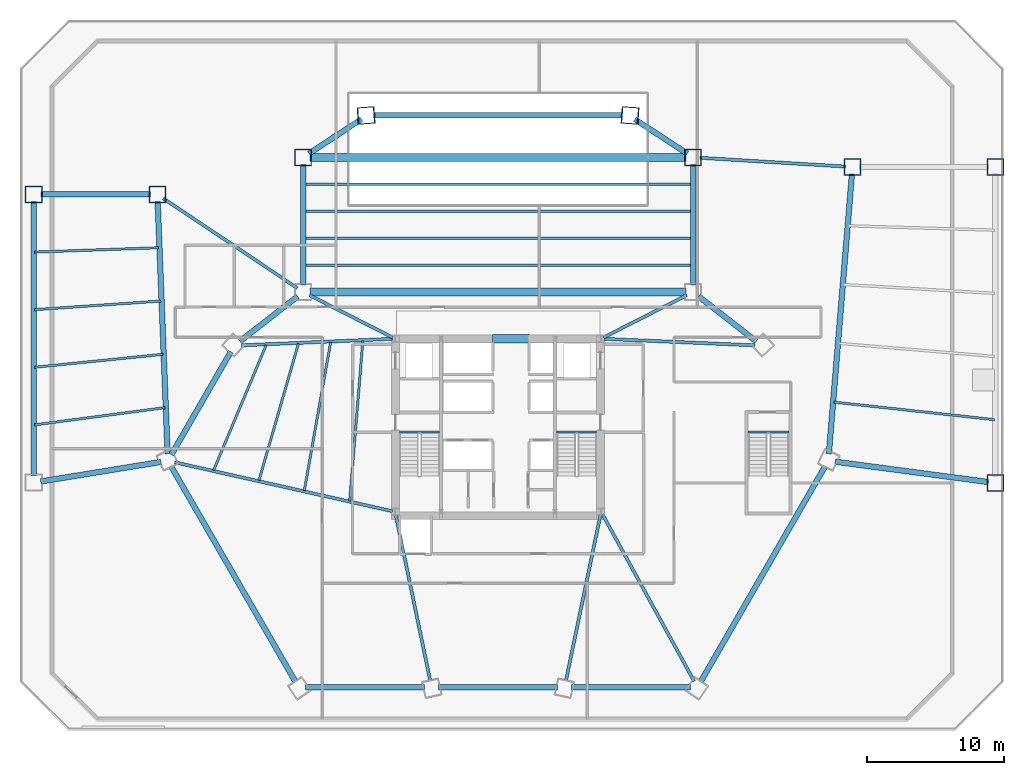
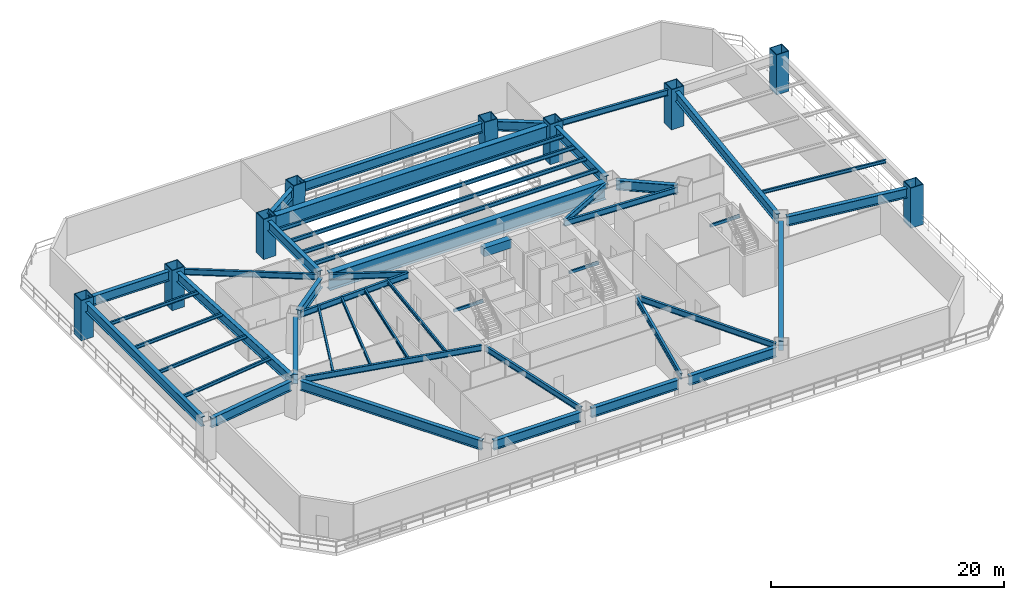
# One storey, part 3 of 12: 48 beams, 9 columns.
"""IFC4 building model written with IfcOpenShell, lengths in metres."""

from ifc_helpers import new_model, si_unit, direction, frame, origin, origin_2d, place, context, subcontext, project, spatial, rectangle, hollow_rectangle, i_section, extrude, source, transform, mapped, material, material_profile, profile_set, type_object, type_shapes, element, save


model = new_model("IFC4")

# Units and contexts
model_context = context("Model", 3, precision=1e-05, world=origin(), true_north=direction((0.0, 1.0)))
body_context = subcontext(model_context, "Body", "Model", "MODEL_VIEW")
ifc_project = project(units=[si_unit("LENGTHUNIT", "METRE"), si_unit("AREAUNIT", "SQUARE_METRE"), si_unit("VOLUMEUNIT", "CUBIC_METRE"), si_unit("PLANEANGLEUNIT", "RADIAN"), si_unit("MASSUNIT", "GRAM", prefix="KILO")], contexts=[model_context])

# Site, building, storey
site_placement = place(None, origin())
site = spatial("IfcSite", under=ifc_project, at=site_placement, CompositionType="ELEMENT")
building_placement = place(site_placement, origin())
building = spatial("IfcBuilding", under=site, at=building_placement, Name="Caelisora Broadcast Tower", CompositionType="ELEMENT")
storey_placement = place(building_placement, frame((0.0, 0.0, 14.699951171875)))
storey = spatial("IfcBuildingStorey", under=building, at=storey_placement, Name="L03", CompositionType="ELEMENT", Elevation=14.699951171875)

# Columns
ifc_material_1 = material(Name="Steel Grade 350 L15 (AS/NZS 3678)", Category="steel")
ifc_material_profile_1 = material_profile(ifc_material_1, hollow_rectangle(XDim=1.25, YDim=1.25, WallThickness=0.070068359375, at=origin_2d()), Name="Steel Grade 350 L15 (AS/NZS 3678)")
ifc_profile_set_1 = profile_set([ifc_material_profile_1], Name="Steel Grade 350 L15 (AS/NZS 3678)")
column_type = type_object("IfcColumnType", Name="MC02", PredefinedType="COLUMN", material=ifc_profile_set_1)
shared_shape_1 = source(origin(), body_context, "Body", "SweptSolid", [
    extrude(hollow_rectangle(XDim=1.25, YDim=1.25, WallThickness=0.070068359375, at=origin_2d()), origin(), (0.0, 0.0, 1.0), 4.201171875),
])
for number, where, z_axis, x_axis, name in (
    (1, (47.61962890625, 46.249267578125, 0.0), (-0.023884329985, 0.001743381751, 0.999713208576), (-0.07279902415, -0.997346630857, 0.0), "L03 column MC02"),
    (2, (28.38037109375, 46.249267578125, 0.0), (0.023884329985, 0.001743381751, 0.999713208576), (-0.07279902415, 0.997346630857, 0.0), "L03 column MC02"),
):
    element("IfcColumn", number, at=place(storey_placement, frame(where, z_axis=z_axis, x_axis=x_axis)), inside=storey, type_object=column_type, Name=name, PredefinedType="COLUMN", context=body_context, shape_type="MappedRepresentation", body=[
        mapped(shared_shape_1, transform((0.0, 0.0, 0.0), scale=1.0)),
    ])
shared_shape_2 = source(origin(), body_context, "Body", "SweptSolid", [
    extrude(hollow_rectangle(XDim=1.25, YDim=1.25, WallThickness=0.070068359375, at=origin_2d()), origin(), (0.0, 0.0, 1.0), 4.199951171875),
])
type_shapes(column_type, [shared_shape_1, shared_shape_2])
for number, where, z_axis, x_axis, name in (
    (3, (23.81103515625, 43.199951171875, 0.0), (0.0, 0.0, 1.0), (1.0, 0.0, 0.0), "L03 column MC02"),
    (4, (52.18896484375, 43.199951171875, 0.0), (0.0, 0.0, 1.0), (1.0, 0.0, 0.0), "L03 column MC02"),
    (5, (4.199951171875, 40.5, 0.0), (0.0, 0.0, 1.0), (1.0, 0.0, 0.0), "L03 column MC02"),
    (6, (74.199951171875, 19.5, 0.0), (0.0, 0.0, 1.0), (1.0, 0.0, 0.0), "L03 column MC02"),
    (7, (74.199951171875, 42.5, 0.0), (0.0, 0.0, 1.0), (1.0, 0.0, 0.0), "L03 column MC02"),
    (8, (13.199951171875, 40.5, 0.0), (0.0, 0.0, 1.0), (1.0, 0.0, 0.0), "L03 column MC02"),
    (9, (63.800048828125, 42.5, 0.0), (0.0, 0.0, 1.0), (1.0, 0.0, 0.0), "L03 column MC02"),
):
    element("IfcColumn", number, at=place(storey_placement, frame(where, z_axis=z_axis, x_axis=x_axis)), inside=storey, type_object=column_type, Name=name, PredefinedType="COLUMN", context=body_context, shape_type="MappedRepresentation", body=[
        mapped(shared_shape_2, transform((0.0, 0.0, 0.0), scale=1.0)),
    ])

# Beams
ifc_material_2 = material(Name="Steel Grade 350 (AS/NZS 1163 C350L0)", Category="steel")
ifc_material_profile_2 = material_profile(ifc_material_2, hollow_rectangle(XDim=0.14990234375, YDim=0.300048828125, WallThickness=0.010009765625, at=origin_2d()), Name="Steel Grade 350 (AS/NZS 1163 C350L0)")
ifc_profile_set_2 = profile_set([ifc_material_profile_2], Name="Steel Grade 350 (AS/NZS 1163 C350L0)")
beam_type_1 = type_object("IfcBeamType", Name="SB05", PredefinedType="JOIST", material=ifc_profile_set_2)
shared_shape_3 = source(origin(), body_context, "Body", "SweptSolid", [
    extrude(hollow_rectangle(XDim=0.14990234375, YDim=0.300048828125, WallThickness=0.010009765625, at=origin_2d()), origin(), (0.0, 0.0, 1.0), 2.89990234375),
])
for number, where, z_axis, x_axis, name in (
    (10, (30.840087890625, 23.219970703125, 3.72998046875), (1.0, 0.0, 0.0), (0.0, 1.0, 0.0), "L03 beam SB05"),
    (11, (42.260009765625, 23.219970703125, 3.72998046875), (1.0, 0.0, 0.0), (0.0, 1.0, 0.0), "L03 beam SB05"),
):
    element("IfcBeam", number, at=place(storey_placement, frame(where, z_axis=z_axis, x_axis=x_axis)), inside=storey, type_object=beam_type_1, Name=name, PredefinedType="JOIST", context=body_context, shape_type="MappedRepresentation", body=[
        mapped(shared_shape_3, transform((0.0, 0.0, 0.0), scale=1.0)),
    ])
shared_shape_4 = source(origin(), body_context, "Body", "SweptSolid", [
    extrude(hollow_rectangle(XDim=0.14990234375, YDim=0.300048828125, WallThickness=0.010009765625, at=origin_2d()), origin(), (0.0, 0.0, 1.0), 2.9599609375),
])
type_shapes(beam_type_1, [shared_shape_3, shared_shape_4])
beam_1_placement = place(storey_placement, frame((56.199951171875, 23.219970703125, 3.72998046875), z_axis=(1.0, 0.0, 0.0), x_axis=(0.0, 1.0, 0.0)))
element("IfcBeam", 12, at=beam_1_placement, inside=storey, type_object=beam_type_1, Name="L03 beam SB05", PredefinedType="JOIST", context=body_context, shape_type="MappedRepresentation", body=[
    mapped(shared_shape_4, transform((0.0, 0.0, 0.0), scale=1.0)),
])
ifc_material_3 = material(Name="Steel Grade 350 (AS/NZS 3679.1)", Category="steel")
ifc_material_profile_3 = material_profile(ifc_material_3, i_section(OverallWidth=0.177978515625, OverallDepth=0.406494140625, WebThickness=0.0078125, FlangeThickness=0.0126953125, at=origin_2d()), Name="Steel Grade 350 (AS/NZS 3679.1)")
ifc_profile_set_3 = profile_set([ifc_material_profile_3], Name="Steel Grade 350 (AS/NZS 3679.1)")
beam_type_2 = type_object("IfcBeamType", Name="SB01", PredefinedType="JOIST", material=ifc_profile_set_3)
shared_shape_5 = source(origin(), body_context, "Body", "SweptSolid", [
    extrude(i_section(OverallWidth=0.177978515625, OverallDepth=0.406494140625, WebThickness=0.0078125, FlangeThickness=0.0126953125, at=origin_2d()), origin(), (0.0, 0.0, 1.0), 28.2578125),
])
type_shapes(beam_type_2, [shared_shape_5])
for number, where, z_axis, x_axis, name in (
    (13, (23.87109375, 35.360107421875, 3.6767578125), (1.0, 0.0, 0.0), (0.0, 1.0, 0.0), "L03 beam SB01"),
    (14, (23.87109375, 37.320068359375, 3.6767578125), (1.0, 0.0, 0.0), (0.0, 1.0, 0.0), "L03 beam SB01"),
    (15, (23.87109375, 39.280029296875, 3.6767578125), (1.0, 0.0, 0.0), (0.0, 1.0, 0.0), "L03 beam SB01"),
    (16, (23.87109375, 41.239990234375, 3.6767578125), (1.0, 0.0, 0.0), (0.0, 1.0, 0.0), "L03 beam SB01"),
):
    element("IfcBeam", number, at=place(storey_placement, frame(where, z_axis=z_axis, x_axis=x_axis)), inside=storey, type_object=beam_type_2, Name=name, PredefinedType="JOIST", context=body_context, shape_type="MappedRepresentation", body=[
        mapped(shared_shape_5, transform((0.0, 0.0, 0.0), scale=1.0)),
    ])
ifc_material_profile_4 = material_profile(ifc_material_3, i_section(OverallWidth=0.22900390625, OverallDepth=0.611572265625, WebThickness=0.011962890625, FlangeThickness=0.01953125, at=origin_2d()), Name="Steel Grade 350 (AS/NZS 3679.1)")
ifc_profile_set_4 = profile_set([ifc_material_profile_4], Name="Steel Grade 350 (AS/NZS 3679.1)")
beam_type_3 = type_object("IfcBeamType", Name="PG03", PredefinedType="BEAM", material=ifc_profile_set_4)
shared_shape_6 = source(origin(), body_context, "Body", "SweptSolid", [
    extrude(i_section(OverallWidth=0.22900390625, OverallDepth=0.611572265625, WebThickness=0.011962890625, FlangeThickness=0.01953125, at=origin_2d()), origin(), (0.0, 0.0, 1.0), 6.791015625),
])
for number, where, z_axis, x_axis, name in (
    (17, (45.67822265625, 30.090576171875, 3.57421875), (0.891452572776, 0.453114014892, 0.0), (-0.453114014892, 0.891452572776, 0.0), "L03 beam PG03"),
    (18, (30.32177734375, 30.090576171875, 3.57421875), (-0.891452572776, 0.453114014892, 0.0), (-0.453114014892, -0.891452572776, 0.0), "L03 beam PG03"),
):
    element("IfcBeam", number, at=place(storey_placement, frame(where, z_axis=z_axis, x_axis=x_axis)), inside=storey, type_object=beam_type_3, Name=name, PredefinedType="BEAM", context=body_context, shape_type="MappedRepresentation", body=[
        mapped(shared_shape_6, transform((0.0, 0.0, 0.0), scale=1.0)),
    ])
ifc_material_4 = material(Name="Steel Grade 350 (AS/NZS 3679.2)", Category="steel")
ifc_material_profile_5 = material_profile(ifc_material_4, i_section(OverallWidth=0.39990234375, OverallDepth=1.0, WebThickness=0.01611328125, FlangeThickness=0.028076171875, at=origin_2d()), Name="Steel Grade 350 (AS/NZS 3679.2)")
ifc_profile_set_5 = profile_set([ifc_material_profile_5], Name="Steel Grade 350 (AS/NZS 3679.2)")
beam_type_4 = type_object("IfcBeamType", Name="PG01", PredefinedType="BEAM", material=ifc_profile_set_5)
shared_shape_7 = source(origin(), body_context, "Body", "SweptSolid", [
    extrude(i_section(OverallWidth=0.39990234375, OverallDepth=1.0, WebThickness=0.01611328125, FlangeThickness=0.028076171875, at=origin_2d()), origin(), (0.0, 0.0, 1.0), 7.97509765625),
])
beam_2_placement = place(storey_placement, frame((4.71240234375, 40.5, 3.380126953125), z_axis=(1.0, 0.0, 0.0), x_axis=(0.0, 1.0, 0.0)))
element("IfcBeam", 19, at=beam_2_placement, inside=storey, type_object=beam_type_4, Name="L03 beam PG01", PredefinedType="BEAM", context=body_context, shape_type="MappedRepresentation", body=[
    mapped(shared_shape_7, transform((0.0, 0.0, 0.0), scale=1.0)),
])
shared_shape_8 = source(origin(), body_context, "Body", "SweptSolid", [
    extrude(i_section(OverallWidth=0.39990234375, OverallDepth=1.0, WebThickness=0.01611328125, FlangeThickness=0.028076171875, at=origin_2d()), origin(), (0.0, 0.0, 1.0), 19.948974609375),
])
beam_3_placement = place(storey_placement, frame((4.199951171875, 20.03857421875, 3.380126953125), z_axis=(0.0, 1.0, 0.0), x_axis=(-1.0, 0.0, 0.0)))
element("IfcBeam", 20, at=beam_3_placement, inside=storey, type_object=beam_type_4, Name="L03 beam PG01", PredefinedType="BEAM", context=body_context, shape_type="MappedRepresentation", body=[
    mapped(shared_shape_8, transform((0.0, 0.0, 0.0), scale=1.0)),
])
shared_shape_9 = source(origin(), body_context, "Body", "SweptSolid", [
    extrude(i_section(OverallWidth=0.22900390625, OverallDepth=0.611572265625, WebThickness=0.011962890625, FlangeThickness=0.01953125, at=origin_2d()), origin(), (0.0, 0.0, 1.0), 11.7421875),
])
beam_4_placement = place(storey_placement, frame((13.6259765625, 40.215087890625, 3.57421875), z_axis=(0.831105468417, -0.556114826602, 0.0), x_axis=(0.556114826602, 0.831105468417, 0.0)))
element("IfcBeam", 21, at=beam_4_placement, inside=storey, type_object=beam_type_3, Name="L03 beam PG03", PredefinedType="BEAM", context=body_context, shape_type="MappedRepresentation", body=[
    mapped(shared_shape_9, transform((0.0, 0.0, 0.0), scale=1.0)),
])
shared_shape_10 = source(origin(), body_context, "Body", "SweptSolid", [
    extrude(i_section(OverallWidth=0.22900390625, OverallDepth=0.611572265625, WebThickness=0.011962890625, FlangeThickness=0.01953125, at=origin_2d()), origin(), (0.0, 0.0, 1.0), 10.60693359375),
])
beam_5_placement = place(storey_placement, frame((52.70068359375, 43.169189453125, 3.57421875), z_axis=(0.998186939581, -0.060189979639, 0.0), x_axis=(0.060189979639, 0.998186939581, 0.0)))
element("IfcBeam", 22, at=beam_5_placement, inside=storey, type_object=beam_type_3, Name="L03 beam PG03", PredefinedType="BEAM", context=body_context, shape_type="MappedRepresentation", body=[
    mapped(shared_shape_10, transform((0.0, 0.0, 0.0), scale=1.0)),
])
shared_shape_11 = source(origin(), body_context, "Body", "SweptSolid", [
    extrude(i_section(OverallWidth=0.39990234375, OverallDepth=1.0, WebThickness=0.01611328125, FlangeThickness=0.028076171875, at=origin_2d()), origin(), (0.0, 0.0, 1.0), 8.77490234375),
])
for number, where, z_axis, x_axis, name in (
    (23, (23.81103515625, 33.91259765625, 3.380126953125), (0.0, 1.0, 0.0), (-1.0, 0.0, 0.0), "L03 beam PG01"),
    (24, (52.18896484375, 33.91259765625, 3.380126953125), (0.0, 1.0, 0.0), (-1.0, 0.0, 0.0), "L03 beam PG01"),
):
    element("IfcBeam", number, at=place(storey_placement, frame(where, z_axis=z_axis, x_axis=x_axis)), inside=storey, type_object=beam_type_4, Name=name, PredefinedType="BEAM", context=body_context, shape_type="MappedRepresentation", body=[
        mapped(shared_shape_11, transform((0.0, 0.0, 0.0), scale=1.0)),
    ])
ifc_material_5 = material(Name="Concrete 50 MPa (AS 3600 S50)", Category="concrete")
ifc_material_profile_6 = material_profile(ifc_material_5, rectangle(XDim=0.60009765625, YDim=0.89990234375, at=origin_2d()), Name="Concrete 50 MPa (AS 3600 S50)")
ifc_profile_set_6 = profile_set([ifc_material_profile_6], Name="Concrete 50 MPa (AS 3600 S50)")
beam_type_5 = type_object("IfcBeamType", Name="CB02", PredefinedType="LINTEL", material=ifc_profile_set_6)
shared_shape_12 = source(origin(), body_context, "Body", "SweptSolid", [
    extrude(rectangle(XDim=0.60009765625, YDim=0.89990234375, at=origin_2d()), origin(), (0.0, 0.0, 1.0), 2.699951171875),
])
type_shapes(beam_type_5, [shared_shape_12])
beam_6_placement = place(storey_placement, frame((37.60009765625, 30.0, 3.5), z_axis=(1.0, 0.0, 0.0), x_axis=(0.0, 1.0, 0.0)))
element("IfcBeam", 25, at=beam_6_placement, inside=storey, type_object=beam_type_5, Name="L03 beam CB02", PredefinedType="LINTEL", context=body_context, shape_type="MappedRepresentation", body=[
    mapped(shared_shape_12, transform((0.0, 0.0, 0.0), scale=1.0)),
])
shared_shape_13 = source(origin(), body_context, "Body", "SweptSolid", [
    extrude(i_section(OverallWidth=0.39990234375, OverallDepth=1.0, WebThickness=0.01611328125, FlangeThickness=0.028076171875, at=origin_2d()), origin(), (0.0, 0.0, 1.0), 18.013671875),
])
for number, where, z_axis, x_axis, name in (
    (26, (47.0068359375, 46.256591796875, 3.380126953125), (-1.0, 0.0, 0.0), (0.0, -1.0, 0.0), "L03 beam PG01"),
    (27, (14.2216796875, 20.671875, 3.380126953125), (0.499998934212, -0.866026019116, 0.0), (0.866026019116, 0.499998934212, 0.0), "L03 beam PG01"),
    (28, (52.771484375, 5.071533203125, 3.380126953125), (0.499998934212, 0.866026019116, 0.0), (-0.866026019116, 0.499998934212, 0.0), "L03 beam PG01"),
):
    element("IfcBeam", number, at=place(storey_placement, frame(where, z_axis=z_axis, x_axis=x_axis)), inside=storey, type_object=beam_type_4, Name=name, PredefinedType="BEAM", context=body_context, shape_type="MappedRepresentation", body=[
        mapped(shared_shape_13, transform((0.0, 0.0, 0.0), scale=1.0)),
    ])
shared_shape_14 = source(origin(), body_context, "Body", "SweptSolid", [
    extrude(i_section(OverallWidth=0.39990234375, OverallDepth=1.0, WebThickness=0.01611328125, FlangeThickness=0.028076171875, at=origin_2d()), origin(), (0.0, 0.0, 1.0), 4.556396484375),
])
for number, where, z_axis, x_axis, name in (
    (29, (28.052001953125, 45.97607421875, 3.380126953125), (-0.836694820537, -0.547669405104, 0.0), (0.547669405104, -0.836694820537, 0.0), "L03 beam PG01"),
    (30, (51.76025390625, 43.480712890625, 3.380126953125), (-0.836694820537, 0.547669405104, 0.0), (-0.547669405104, -0.836694820537, 0.0), "L03 beam PG01"),
):
    element("IfcBeam", number, at=place(storey_placement, frame(where, z_axis=z_axis, x_axis=x_axis)), inside=storey, type_object=beam_type_4, Name=name, PredefinedType="BEAM", context=body_context, shape_type="MappedRepresentation", body=[
        mapped(shared_shape_14, transform((0.0, 0.0, 0.0), scale=1.0)),
    ])
shared_shape_15 = source(origin(), body_context, "Body", "SweptSolid", [
    extrude(i_section(OverallWidth=0.39990234375, OverallDepth=1.0, WebThickness=0.01611328125, FlangeThickness=0.028076171875, at=origin_2d()), origin(), (0.0, 0.0, 1.0), 5.32421875),
])
for number, where, z_axis, x_axis, name in (
    (31, (23.40673828125, 33.0849609375, 3.380126953125), (-0.788601028987, -0.614905209834, 0.0), (0.614905209834, -0.788601028987, 0.0), "L03 beam PG01"),
    (32, (56.7919921875, 29.81103515625, 3.380126953125), (-0.788601028987, 0.614905209834, 0.0), (-0.614905209834, -0.788601028987, 0.0), "L03 beam PG01"),
):
    element("IfcBeam", number, at=place(storey_placement, frame(where, z_axis=z_axis, x_axis=x_axis)), inside=storey, type_object=beam_type_4, Name=name, PredefinedType="BEAM", context=body_context, shape_type="MappedRepresentation", body=[
        mapped(shared_shape_15, transform((0.0, 0.0, 0.0), scale=1.0)),
    ])
shared_shape_16 = source(origin(), body_context, "Body", "SweptSolid", [
    extrude(i_section(OverallWidth=0.39990234375, OverallDepth=1.0, WebThickness=0.01611328125, FlangeThickness=0.028076171875, at=origin_2d()), origin(), (0.0, 0.0, 1.0), 8.652099609375),
])
beam_7_placement = place(storey_placement, frame((18.547607421875, 29.05224609375, 3.380126953125), z_axis=(-0.499990325971, -0.866030989016, 0.0), x_axis=(0.866030989016, -0.499990325971, 0.0)))
element("IfcBeam", 33, at=beam_7_placement, inside=storey, type_object=beam_type_4, Name="L03 beam PG01", PredefinedType="BEAM", context=body_context, shape_type="MappedRepresentation", body=[
    mapped(shared_shape_16, transform((0.0, 0.0, 0.0), scale=1.0)),
])
shared_shape_17 = source(origin(), body_context, "Body", "SweptSolid", [
    extrude(i_section(OverallWidth=0.39990234375, OverallDepth=1.0, WebThickness=0.01611328125, FlangeThickness=0.028076171875, at=origin_2d()), origin(), (0.0, 0.0, 1.0), 8.651611328125),
])
for number, where, z_axis, x_axis, name in (
    (34, (23.997314453125, 4.627685546875, 3.380126953125), (1.0, 0.0, 0.0), (0.0, 1.0, 0.0), "L03 beam PG01"),
    (35, (43.35107421875, 4.627685546875, 3.380126953125), (1.0, 0.0, 0.0), (0.0, 1.0, 0.0), "L03 beam PG01"),
):
    element("IfcBeam", number, at=place(storey_placement, frame(where, z_axis=z_axis, x_axis=x_axis)), inside=storey, type_object=beam_type_4, Name=name, PredefinedType="BEAM", context=body_context, shape_type="MappedRepresentation", body=[
        mapped(shared_shape_17, transform((0.0, 0.0, 0.0), scale=1.0)),
    ])
shared_shape_18 = source(origin(), body_context, "Body", "SweptSolid", [
    extrude(i_section(OverallWidth=0.39990234375, OverallDepth=1.0, WebThickness=0.01611328125, FlangeThickness=0.028076171875, at=origin_2d()), origin(), (0.0, 0.0, 1.0), 8.65185546875),
])
beam_8_placement = place(storey_placement, frame((33.674072265625, 4.627685546875, 3.380126953125), z_axis=(1.0, 0.0, 0.0), x_axis=(0.0, 1.0, 0.0)))
element("IfcBeam", 36, at=beam_8_placement, inside=storey, type_object=beam_type_4, Name="L03 beam PG01", PredefinedType="BEAM", context=body_context, shape_type="MappedRepresentation", body=[
    mapped(shared_shape_18, transform((0.0, 0.0, 0.0), scale=1.0)),
])
shared_shape_19 = source(origin(), body_context, "Body", "SweptSolid", [
    extrude(i_section(OverallWidth=0.39990234375, OverallDepth=1.0, WebThickness=0.01611328125, FlangeThickness=0.028076171875, at=origin_2d()), origin(), (0.0, 0.0, 1.0), 11.247314453125),
])
beam_9_placement = place(storey_placement, frame((62.54248046875, 21.048095703125, 3.380126953125), z_axis=(0.991296205136, -0.131650422268, 0.0), x_axis=(0.131650422268, 0.991296205136, 0.0)))
element("IfcBeam", 37, at=beam_9_placement, inside=storey, type_object=beam_type_4, Name="L03 beam PG01", PredefinedType="BEAM", context=body_context, shape_type="MappedRepresentation", body=[
    mapped(shared_shape_19, transform((0.0, 0.0, 0.0), scale=1.0)),
])
shared_shape_20 = source(origin(), body_context, "Body", "SweptSolid", [
    extrude(i_section(OverallWidth=0.22900390625, OverallDepth=0.611572265625, WebThickness=0.011962890625, FlangeThickness=0.01953125, at=origin_2d()), origin(), (0.0, 0.0, 1.0), 16.234619140625),
])
beam_10_placement = place(storey_placement, frame((30.304931640625, 17.44384765625, 3.57421875), z_axis=(-0.975670185416, 0.219243447544, 0.0), x_axis=(-0.219243447544, -0.975670185416, 0.0)))
element("IfcBeam", 38, at=beam_10_placement, inside=storey, type_object=beam_type_3, Name="L03 beam PG03", PredefinedType="BEAM", context=body_context, shape_type="MappedRepresentation", body=[
    mapped(shared_shape_20, transform((0.0, 0.0, 0.0), scale=1.0)),
])
shared_shape_21 = source(origin(), body_context, "Body", "SweptSolid", [
    extrude(i_section(OverallWidth=0.22900390625, OverallDepth=0.611572265625, WebThickness=0.011962890625, FlangeThickness=0.01953125, at=origin_2d()), origin(), (0.0, 0.0, 1.0), 12.333984375),
])
for number, where, z_axis, x_axis, name in (
    (39, (30.540771484375, 17.2041015625, 3.57421875), (0.203996937813, -0.978971526329, 0.0), (0.978971526329, 0.203996937813, 0.0), "L03 beam PG03"),
    (40, (45.459228515625, 17.2041015625, 3.57421875), (-0.203996937813, -0.978971526329, 0.0), (0.978971526329, -0.203996937813, 0.0), "L03 beam PG03"),
):
    element("IfcBeam", number, at=place(storey_placement, frame(where, z_axis=z_axis, x_axis=x_axis)), inside=storey, type_object=beam_type_3, Name=name, PredefinedType="BEAM", context=body_context, shape_type="MappedRepresentation", body=[
        mapped(shared_shape_21, transform((0.0, 0.0, 0.0), scale=1.0)),
    ])
shared_shape_22 = source(origin(), body_context, "Body", "SweptSolid", [
    extrude(i_section(OverallWidth=0.22900390625, OverallDepth=0.611572265625, WebThickness=0.011962890625, FlangeThickness=0.01953125, at=origin_2d()), origin(), (0.0, 0.0, 1.0), 13.859619140625),
])
beam_11_placement = place(storey_placement, frame((45.59619140625, 17.224609375, 3.57421875), z_axis=(0.481427067491, -0.876486154304, 0.0), x_axis=(0.876486154304, 0.481427067491, 0.0)))
element("IfcBeam", 41, at=beam_11_placement, inside=storey, type_object=beam_type_3, Name="L03 beam PG03", PredefinedType="BEAM", context=body_context, shape_type="MappedRepresentation", body=[
    mapped(shared_shape_22, transform((0.0, 0.0, 0.0), scale=1.0)),
])
shared_shape_23 = source(origin(), body_context, "Body", "SweptSolid", [
    extrude(i_section(OverallWidth=0.22900390625, OverallDepth=0.611572265625, WebThickness=0.011962890625, FlangeThickness=0.01953125, at=origin_2d()), origin(), (0.0, 0.0, 1.0), 10.99462890625),
])
type_shapes(beam_type_3, [shared_shape_6, shared_shape_9, shared_shape_10, shared_shape_20, shared_shape_21, shared_shape_22, shared_shape_23])
for number, where, z_axis, x_axis, name in (
    (42, (45.69970703125, 29.991455078125, 3.57421875), (0.999072635273, -0.043056584277, 0.0), (0.043056584277, 0.999072635273, 0.0), "L03 beam PG03"),
    (43, (19.31591796875, 29.51806640625, 3.57421875), (0.999072635273, 0.043056584277, 0.0), (-0.043056584277, 0.999072635273, 0.0), "L03 beam PG03"),
):
    element("IfcBeam", number, at=place(storey_placement, frame(where, z_axis=z_axis, x_axis=x_axis)), inside=storey, type_object=beam_type_3, Name=name, PredefinedType="BEAM", context=body_context, shape_type="MappedRepresentation", body=[
        mapped(shared_shape_23, transform((0.0, 0.0, 0.0), scale=1.0)),
    ])
shared_shape_24 = source(origin(), body_context, "Body", "SweptSolid", [
    extrude(i_section(OverallWidth=0.39990234375, OverallDepth=1.0, WebThickness=0.01611328125, FlangeThickness=0.028076171875, at=origin_2d()), origin(), (0.0, 0.0, 1.0), 8.869140625),
])
beam_12_placement = place(storey_placement, frame((4.705810546875, 19.6083984375, 3.380126953125), z_axis=(0.987011736539, 0.160648161938, 0.0), x_axis=(-0.160648161938, 0.987011736539, 0.0)))
element("IfcBeam", 44, at=beam_12_placement, inside=storey, type_object=beam_type_4, Name="L03 beam PG01", PredefinedType="BEAM", context=body_context, shape_type="MappedRepresentation", body=[
    mapped(shared_shape_24, transform((0.0, 0.0, 0.0), scale=1.0)),
])
shared_shape_25 = source(origin(), body_context, "Body", "SweptSolid", [
    extrude(i_section(OverallWidth=0.39990234375, OverallDepth=1.0, WebThickness=0.01611328125, FlangeThickness=0.028076171875, at=origin_2d()), origin(), (0.0, 0.0, 1.0), 18.37451171875),
])
beam_13_placement = place(storey_placement, frame((13.9453125, 21.627685546875, 3.380126953125), z_axis=(-0.039462342505, 0.999221058387, 0.0), x_axis=(-0.999221058387, -0.039462342505, 0.0)))
element("IfcBeam", 45, at=beam_13_placement, inside=storey, type_object=beam_type_4, Name="L03 beam PG01", PredefinedType="BEAM", context=body_context, shape_type="MappedRepresentation", body=[
    mapped(shared_shape_25, transform((0.0, 0.0, 0.0), scale=1.0)),
])
shared_shape_26 = source(origin(), body_context, "Body", "SweptSolid", [
    extrude(i_section(OverallWidth=0.39990234375, OverallDepth=1.0, WebThickness=0.01611328125, FlangeThickness=0.028076171875, at=origin_2d()), origin(), (0.0, 0.0, 1.0), 20.43212890625),
])
type_shapes(beam_type_4, [shared_shape_7, shared_shape_8, shared_shape_11, shared_shape_13, shared_shape_14, shared_shape_15, shared_shape_16, shared_shape_17, shared_shape_18, shared_shape_19, shared_shape_24, shared_shape_25, shared_shape_26])
beam_14_placement = place(storey_placement, frame((62.076904296875, 21.62646484375, 3.380126953125), z_axis=(0.082268199038, 0.996610226431, 0.0), x_axis=(-0.996610226431, 0.082268199038, 0.0)))
element("IfcBeam", 46, at=beam_14_placement, inside=storey, type_object=beam_type_4, Name="L03 beam PG01", PredefinedType="BEAM", context=body_context, shape_type="MappedRepresentation", body=[
    mapped(shared_shape_26, transform((0.0, 0.0, 0.0), scale=1.0)),
])
ifc_material_profile_7 = material_profile(ifc_material_4, i_section(OverallWidth=0.60009765625, OverallDepth=1.800048828125, WebThickness=0.02490234375, FlangeThickness=0.0400390625, at=origin_2d()), Name="Steel Grade 350 (AS/NZS 3679.2)")
ifc_profile_set_7 = profile_set([ifc_material_profile_7], Name="Steel Grade 350 (AS/NZS 3679.2)")
beam_type_6 = type_object("IfcBeamType", Name="TG01", PredefinedType="BEAM", material=ifc_profile_set_7)
shared_shape_27 = source(origin(), body_context, "Body", "SweptSolid", [
    extrude(i_section(OverallWidth=0.60009765625, OverallDepth=1.800048828125, WebThickness=0.02490234375, FlangeThickness=0.0400390625, at=origin_2d()), origin(), (0.0, 0.0, 1.0), 27.35302734375),
])
type_shapes(beam_type_6, [shared_shape_27])
for number, where, z_axis, x_axis, name in (
    (47, (24.323486328125, 43.199951171875, 2.97998046875), (1.0, 0.0, 0.0), (0.0, 1.0, 0.0), "L03 beam TG01"),
    (48, (24.323486328125, 33.39990234375, 2.97998046875), (1.0, 0.0, 0.0), (0.0, 1.0, 0.0), "L03 beam TG01"),
):
    element("IfcBeam", number, at=place(storey_placement, frame(where, z_axis=z_axis, x_axis=x_axis)), inside=storey, type_object=beam_type_6, Name=name, PredefinedType="BEAM", context=body_context, shape_type="MappedRepresentation", body=[
        mapped(shared_shape_27, transform((0.0, 0.0, 0.0), scale=1.0)),
    ])
ifc_material_profile_8 = material_profile(ifc_material_3, i_section(OverallWidth=0.172119140625, OverallDepth=0.358642578125, WebThickness=0.008056640625, FlangeThickness=0.012939453125, at=origin_2d()), Name="Steel Grade 350 (AS/NZS 3679.1)")
ifc_profile_set_8 = profile_set([ifc_material_profile_8], Name="Steel Grade 350 (AS/NZS 3679.1)")
beam_type_7 = type_object("IfcBeamType", Name="SB02", PredefinedType="JOIST", material=ifc_profile_set_8)
shared_shape_28 = source(origin(), body_context, "Body", "SweptSolid", [
    extrude(i_section(OverallWidth=0.172119140625, OverallDepth=0.358642578125, WebThickness=0.008056640625, FlangeThickness=0.012939453125, at=origin_2d()), origin(), (0.0, 0.0, 1.0), 9.8837890625),
])
beam_15_placement = place(storey_placement, frame((17.29541015625, 20.427734375, 3.70068359375), z_axis=(0.386946900854, 0.922101998653, 0.0), x_axis=(-0.922101998653, 0.386946900854, 0.0)))
element("IfcBeam", 49, at=beam_15_placement, inside=storey, type_object=beam_type_7, Name="L03 beam SB02", PredefinedType="JOIST", context=body_context, shape_type="MappedRepresentation", body=[
    mapped(shared_shape_28, transform((0.0, 0.0, 0.0), scale=1.0)),
])
shared_shape_29 = source(origin(), body_context, "Body", "SweptSolid", [
    extrude(i_section(OverallWidth=0.172119140625, OverallDepth=0.358642578125, WebThickness=0.008056640625, FlangeThickness=0.012939453125, at=origin_2d()), origin(), (0.0, 0.0, 1.0), 10.3583984375),
])
beam_16_placement = place(storey_placement, frame((20.595947265625, 19.68701171875, 3.70068359375), z_axis=(0.277058132149, 0.960853158089, 0.0), x_axis=(-0.960853158089, 0.277058132149, 0.0)))
element("IfcBeam", 50, at=beam_16_placement, inside=storey, type_object=beam_type_7, Name="L03 beam SB02", PredefinedType="JOIST", context=body_context, shape_type="MappedRepresentation", body=[
    mapped(shared_shape_29, transform((0.0, 0.0, 0.0), scale=1.0)),
])
shared_shape_30 = source(origin(), body_context, "Body", "SweptSolid", [
    extrude(i_section(OverallWidth=0.172119140625, OverallDepth=0.358642578125, WebThickness=0.008056640625, FlangeThickness=0.012939453125, at=origin_2d()), origin(), (0.0, 0.0, 1.0), 10.96240234375),
])
beam_17_placement = place(storey_placement, frame((23.896484375, 18.9453125, 3.70068359375), z_axis=(0.174646649387, 0.984631173515, 0.0), x_axis=(-0.984631173515, 0.174646649387, 0.0)))
element("IfcBeam", 51, at=beam_17_placement, inside=storey, type_object=beam_type_7, Name="L03 beam SB02", PredefinedType="JOIST", context=body_context, shape_type="MappedRepresentation", body=[
    mapped(shared_shape_30, transform((0.0, 0.0, 0.0), scale=1.0)),
])
shared_shape_31 = source(origin(), body_context, "Body", "SweptSolid", [
    extrude(i_section(OverallWidth=0.172119140625, OverallDepth=0.358642578125, WebThickness=0.008056640625, FlangeThickness=0.012939453125, at=origin_2d()), origin(), (0.0, 0.0, 1.0), 11.67578125),
])
beam_18_placement = place(storey_placement, frame((27.197998046875, 18.202880859375, 3.70068359375), z_axis=(0.082050416013, 0.996628180031, 0.0), x_axis=(-0.996628180031, 0.082050416013, 0.0)))
element("IfcBeam", 52, at=beam_18_placement, inside=storey, type_object=beam_type_7, Name="L03 beam SB02", PredefinedType="JOIST", context=body_context, shape_type="MappedRepresentation", body=[
    mapped(shared_shape_31, transform((0.0, 0.0, 0.0), scale=1.0)),
])
shared_shape_32 = source(origin(), body_context, "Body", "SweptSolid", [
    extrude(i_section(OverallWidth=0.172119140625, OverallDepth=0.358642578125, WebThickness=0.008056640625, FlangeThickness=0.012939453125, at=origin_2d()), origin(), (0.0, 0.0, 1.0), 9.575927734375),
])
beam_19_placement = place(storey_placement, frame((4.259521484375, 23.728759765625, 3.70068359375), z_axis=(0.991362762277, 0.131148288477, 0.0), x_axis=(-0.131148288477, 0.991362762277, 0.0)))
element("IfcBeam", 53, at=beam_19_placement, inside=storey, type_object=beam_type_7, Name="L03 beam SB02", PredefinedType="JOIST", context=body_context, shape_type="MappedRepresentation", body=[
    mapped(shared_shape_32, transform((0.0, 0.0, 0.0), scale=1.0)),
])
shared_shape_33 = source(origin(), body_context, "Body", "SweptSolid", [
    extrude(i_section(OverallWidth=0.172119140625, OverallDepth=0.358642578125, WebThickness=0.008056640625, FlangeThickness=0.012939453125, at=origin_2d()), origin(), (0.0, 0.0, 1.0), 9.38720703125),
])
beam_20_placement = place(storey_placement, frame((4.259765625, 27.921630859375, 3.70068359375), z_axis=(0.994956005631, 0.100312246804, 0.0), x_axis=(-0.100312246804, 0.994956005631, 0.0)))
element("IfcBeam", 54, at=beam_20_placement, inside=storey, type_object=beam_type_7, Name="L03 beam SB02", PredefinedType="JOIST", context=body_context, shape_type="MappedRepresentation", body=[
    mapped(shared_shape_33, transform((0.0, 0.0, 0.0), scale=1.0)),
])
shared_shape_34 = source(origin(), body_context, "Body", "SweptSolid", [
    extrude(i_section(OverallWidth=0.172119140625, OverallDepth=0.358642578125, WebThickness=0.008056640625, FlangeThickness=0.012939453125, at=origin_2d()), origin(), (0.0, 0.0, 1.0), 9.207763671875),
])
beam_21_placement = place(storey_placement, frame((4.260009765625, 32.114501953125, 3.70068359375), z_axis=(0.997673744083, 0.068169644033, 0.0), x_axis=(-0.068169644033, 0.997673744083, 0.0)))
element("IfcBeam", 55, at=beam_21_placement, inside=storey, type_object=beam_type_7, Name="L03 beam SB02", PredefinedType="JOIST", context=body_context, shape_type="MappedRepresentation", body=[
    mapped(shared_shape_34, transform((0.0, 0.0, 0.0), scale=1.0)),
])
shared_shape_35 = source(origin(), body_context, "Body", "SweptSolid", [
    extrude(i_section(OverallWidth=0.172119140625, OverallDepth=0.358642578125, WebThickness=0.008056640625, FlangeThickness=0.012939453125, at=origin_2d()), origin(), (0.0, 0.0, 1.0), 9.03857421875),
])
beam_22_placement = place(storey_placement, frame((4.260009765625, 36.307373046875, 3.70068359375), z_axis=(0.999397467942, 0.034708803954, 0.0), x_axis=(-0.034708803954, 0.999397467942, 0.0)))
element("IfcBeam", 56, at=beam_22_placement, inside=storey, type_object=beam_type_7, Name="L03 beam SB02", PredefinedType="JOIST", context=body_context, shape_type="MappedRepresentation", body=[
    mapped(shared_shape_35, transform((0.0, 0.0, 0.0), scale=1.0)),
])
shared_shape_36 = source(origin(), body_context, "Body", "SweptSolid", [
    extrude(i_section(OverallWidth=0.172119140625, OverallDepth=0.358642578125, WebThickness=0.008056640625, FlangeThickness=0.012939453125, at=origin_2d()), origin(), (0.0, 0.0, 1.0), 11.762939453125),
])
type_shapes(beam_type_7, [shared_shape_28, shared_shape_29, shared_shape_30, shared_shape_31, shared_shape_32, shared_shape_33, shared_shape_34, shared_shape_35, shared_shape_36])
beam_23_placement = place(storey_placement, frame((62.447265625, 25.385986328125, 3.70068359375), z_axis=(0.994066117363, -0.108777545069, 0.0), x_axis=(0.108777545069, 0.994066117363, 0.0)))
element("IfcBeam", 57, at=beam_23_placement, inside=storey, type_object=beam_type_7, Name="L03 beam SB02", PredefinedType="JOIST", context=body_context, shape_type="MappedRepresentation", body=[
    mapped(shared_shape_36, transform((0.0, 0.0, 0.0), scale=1.0)),
])

save(model, "model.ifc")
